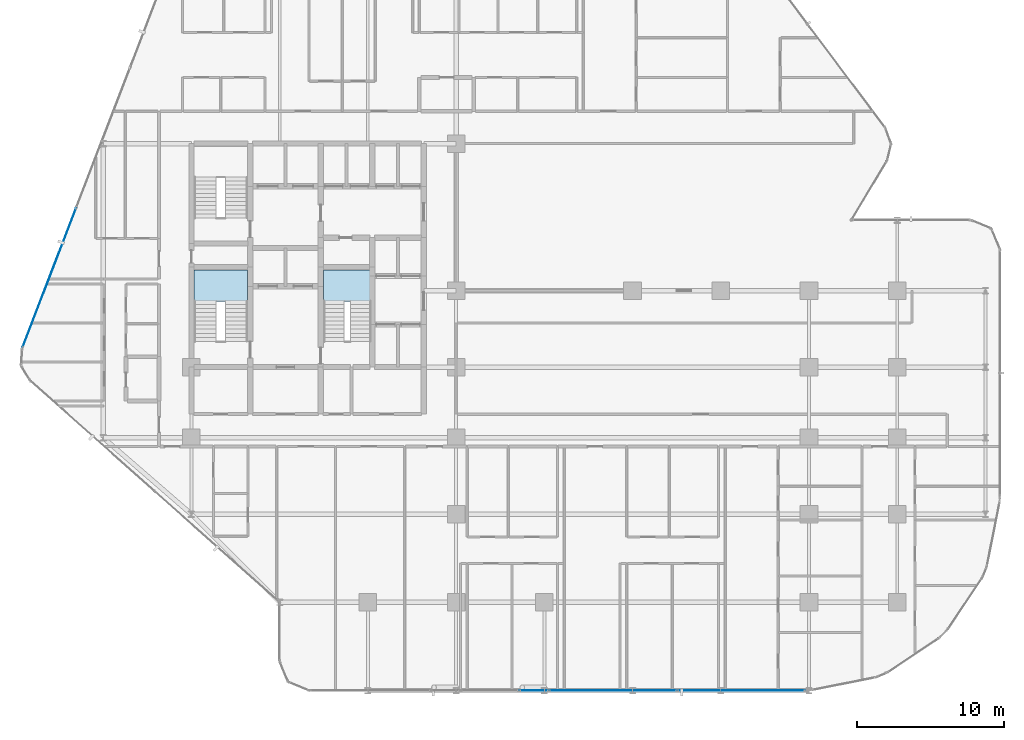
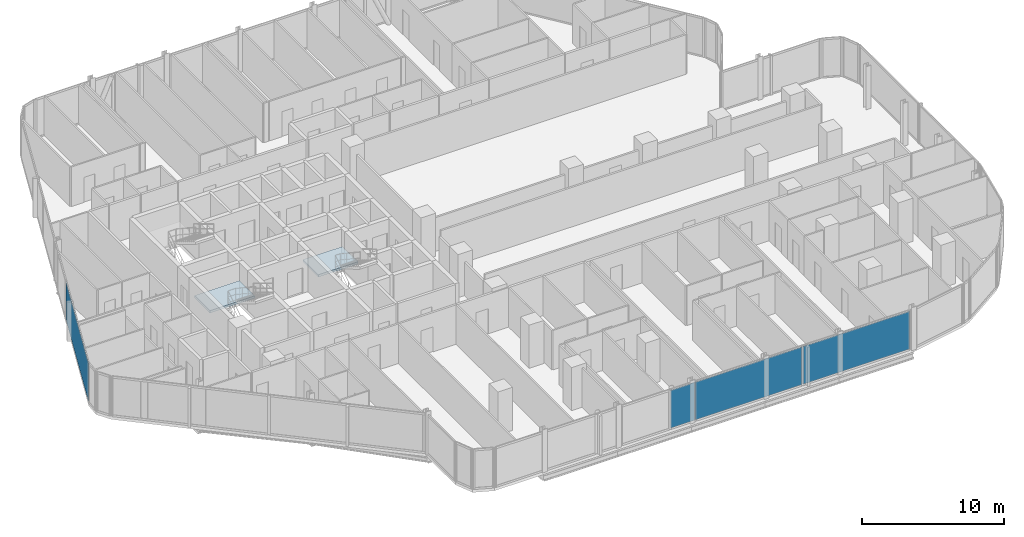
# One storey, part 21 of 34: 4 plates, 2 slabs, 5 elements without a shape of their own.
"""IFC4 building model written with IfcOpenShell, lengths in metres."""

from ifc_helpers import new_model, si_unit, direction, frame, origin, origin_2d, place, context, subcontext, project, spatial, polyline, rectangle, outline, extrude, material, layer, layer_set, type_object, element, aggregate, save


model = new_model("IFC4")

# Units and contexts
model_context = context("Model", 3, precision=1e-05, world=origin(), true_north=direction((0.0, 1.0)))
body_context = subcontext(model_context, "Body", "Model", "MODEL_VIEW")
ifc_project = project(units=[si_unit("LENGTHUNIT", "METRE"), si_unit("AREAUNIT", "SQUARE_METRE"), si_unit("VOLUMEUNIT", "CUBIC_METRE"), si_unit("PLANEANGLEUNIT", "RADIAN"), si_unit("MASSUNIT", "GRAM", prefix="KILO")], contexts=[model_context])

# Site, building, storey
site_placement = place(None, origin())
site = spatial("IfcSite", under=ifc_project, at=site_placement, CompositionType="ELEMENT")
building_placement = place(site_placement, origin())
building = spatial("IfcBuilding", under=site, at=building_placement, Name="Keshet Zoharim Tower", CompositionType="ELEMENT")
storey_placement = place(building_placement, frame((0.0, 0.0, 70.10009765625)))
storey = spatial("IfcBuildingStorey", under=building, at=storey_placement, Name="L16", CompositionType="ELEMENT", Elevation=70.10009765625)

# Curtain wall, plate
ifc_material_1 = material(Name="Aluminium 6063-T6", Category="aluminium")
ifc_layer_1 = layer(ifc_material_1, 0.179931640625)
ifc_layer_set_1 = layer_set([ifc_layer_1], Name="Aluminium 6063-T6")
curtain_wall_type = type_object("IfcCurtainWallType", Name="CW-SYS-01", PredefinedType="NOTDEFINED", material=ifc_layer_set_1)
curtain_wall_1_placement = place(storey_placement, origin())
curtain_wall_1 = element("IfcCurtainWall", 1, at=curtain_wall_1_placement, inside=storey, type_object=curtain_wall_type, Name="L16 Unitised Curtain Wall 04", PredefinedType="NOTDEFINED")
ifc_material_2 = material(Name="Insulated Low-E Clear Glass", Category="glass")
ifc_layer_2 = layer(ifc_material_2, 0.035888671875)
ifc_layer_set_2 = layer_set([ifc_layer_2], Name="Insulated Low-E Clear Glass")
plate_type_1 = type_object("IfcPlateType", Name="CWP-01", PredefinedType="CURTAIN_PANEL", material=ifc_layer_set_2)
plate_1_placement = place(storey_placement, frame((5.33837890625, 28.7802734375, 0.06982421875), z_axis=(0.0, 0.0, 1.0), x_axis=(0.358990003907, 0.933341404361, 0.0)))
plate_1 = element("IfcPlate", 2, at=plate_1_placement, type_object=plate_type_1, Name="CW-01 panel 1.1", PredefinedType="CURTAIN_PANEL", context=body_context, shape_type="SweptSolid", body=[
    extrude(rectangle(XDim=10.1181640625, YDim=0.035888671875, at=origin_2d()), origin(), (0.0, 0.0, 1.0), 3.2451171875),
])
aggregate(curtain_wall_1, [plate_1])

# Curtain wall, plates
curtain_wall_2_placement = place(storey_placement, origin())
curtain_wall_2 = element("IfcCurtainWall", 3, at=curtain_wall_2_placement, inside=storey, type_object=curtain_wall_type, Name="L16 Unitised Curtain Wall 26", PredefinedType="NOTDEFINED")
plate_2_placement = place(storey_placement, frame((52.400390625, 0.699951171875, 0.06982421875), z_axis=(0.0, 0.0, 1.0), x_axis=(-1.0, 0.0, 0.0)))
plate_2 = element("IfcPlate", 4, at=plate_2_placement, type_object=plate_type_1, Name="CW-01 panel 1.1", PredefinedType="CURTAIN_PANEL", context=body_context, shape_type="SweptSolid", body=[
    extrude(rectangle(XDim=8.665283203125, YDim=0.035888671875, at=origin_2d()), origin(), (0.0, 0.0, 1.0), 3.2451171875),
])
plate_3_placement = place(storey_placement, frame((43.665283203125, 0.699951171875, 0.06982421875), z_axis=(0.0, 0.0, 1.0), x_axis=(-1.0, 0.0, 0.0)))
plate_3 = element("IfcPlate", 5, at=plate_3_placement, type_object=plate_type_1, Name="CW-01 panel 2.1", PredefinedType="CURTAIN_PANEL", context=body_context, shape_type="SweptSolid", body=[
    extrude(rectangle(XDim=8.665283203125, YDim=0.035888671875, at=origin_2d()), origin(), (0.0, 0.0, 1.0), 3.2451171875),
])
aggregate(curtain_wall_2, [plate_2, plate_3])

# Curtain wall, plate
curtain_wall_3_placement = place(storey_placement, origin())
curtain_wall_3 = element("IfcCurtainWall", 6, at=curtain_wall_3_placement, inside=storey, type_object=curtain_wall_type, Name="L16 Unitised Curtain Wall 26 Part 2", PredefinedType="NOTDEFINED")
ifc_material_3 = material(Name="Insulated Aluminium Spandrel Panel", Category="aluminium")
ifc_layer_3 = layer(ifc_material_3, 0.035888671875)
ifc_layer_set_3 = layer_set([ifc_layer_3], Name="Insulated Aluminium Spandrel Panel")
plate_type_2 = type_object("IfcPlateType", Name="CWP-04", PredefinedType="CURTAIN_PANEL", material=ifc_layer_set_3)
plate_4_placement = place(storey_placement, frame((38.284912109375, 0.699951171875, 0.06982421875), z_axis=(0.0, 0.0, 1.0), x_axis=(-1.0, 0.0, 0.0)))
plate_4 = element("IfcPlate", 7, at=plate_4_placement, type_object=plate_type_2, Name="CW-01 spandrel panel 1.1", PredefinedType="CURTAIN_PANEL", context=body_context, shape_type="SweptSolid", body=[
    extrude(rectangle(XDim=1.955078125, YDim=0.035888671875, at=origin_2d()), origin(), (0.0, 0.0, 1.0), 3.2451171875),
])
aggregate(curtain_wall_3, [plate_4])

# Stair, slab
ifc_material_4 = material(Name="Concrete C50/60", Category="concrete")
stair_type = type_object("IfcStairType", Name="STR-EXIT-135", PredefinedType="HALF_TURN_STAIR", material=ifc_material_4)
stair_1_placement = place(storey_placement, origin())
stair_1 = element("IfcStair", 8, at=stair_1_placement, inside=storey, type_object=stair_type, Name="L16 Enclosed Exit Stair ST-01", PredefinedType="HALF_TURN_STAIR")
ifc_layer_4 = layer(ifc_material_4, 0.199951171875)
ifc_layer_set_4 = layer_set([ifc_layer_4], Name="Concrete C50/60")
slab_type = type_object("IfcSlabType", Name="SLB-LND-200", PredefinedType="LANDING", material=ifc_layer_set_4)
slab_1_placement = place(storey_placement, frame((0.0, 0.0, 1.64990234375)))
slab_1 = element("IfcSlab", 9, at=slab_1_placement, type_object=slab_type, Name="ST-01 landing 1", PredefinedType="LANDING", context=body_context, shape_type="SweptSolid", body=[
    extrude(outline(polyline([(15.179931640625, 27.159912109375), (18.820068359375, 27.159912109375), (18.820068359375, 29.320068359375), (15.179931640625, 29.320068359375), (15.179931640625, 27.159912109375)])), origin(), (0.0, 0.0, 1.0), 0.199951171875),
])
aggregate(stair_1, [slab_1])

stair_2_placement = place(storey_placement, origin())
stair_2 = element("IfcStair", 10, at=stair_2_placement, inside=storey, type_object=stair_type, Name="L16 Enclosed Exit Stair ST-03", PredefinedType="HALF_TURN_STAIR")
slab_2_placement = place(storey_placement, frame((0.0, 0.0, 1.64990234375)))
slab_2 = element("IfcSlab", 11, at=slab_2_placement, type_object=slab_type, Name="ST-03 landing 1", PredefinedType="LANDING", context=body_context, shape_type="SweptSolid", body=[
    extrude(outline(polyline([(23.97998046875, 27.159912109375), (27.219970703125, 27.159912109375), (27.219970703125, 29.320068359375), (23.97998046875, 29.320068359375), (23.97998046875, 27.159912109375)])), origin(), (0.0, 0.0, 1.0), 0.199951171875),
])
aggregate(stair_2, [slab_2])

save(model, "model.ifc")
